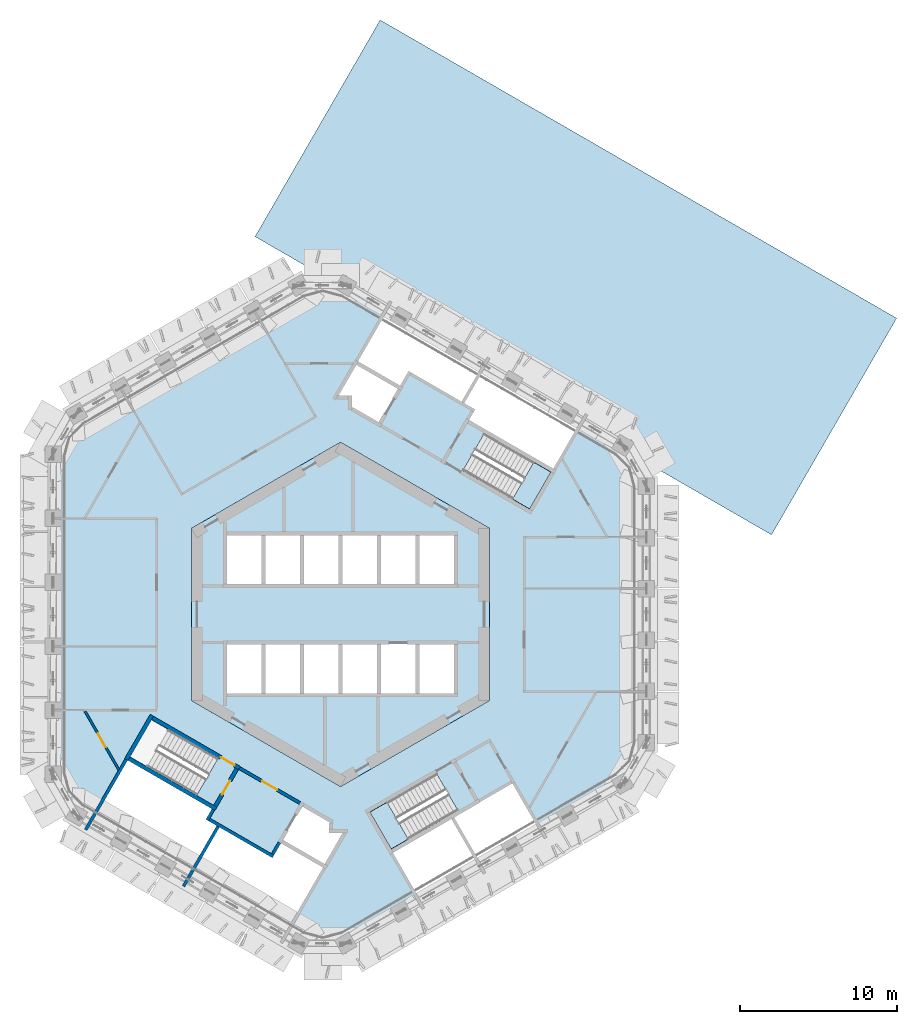
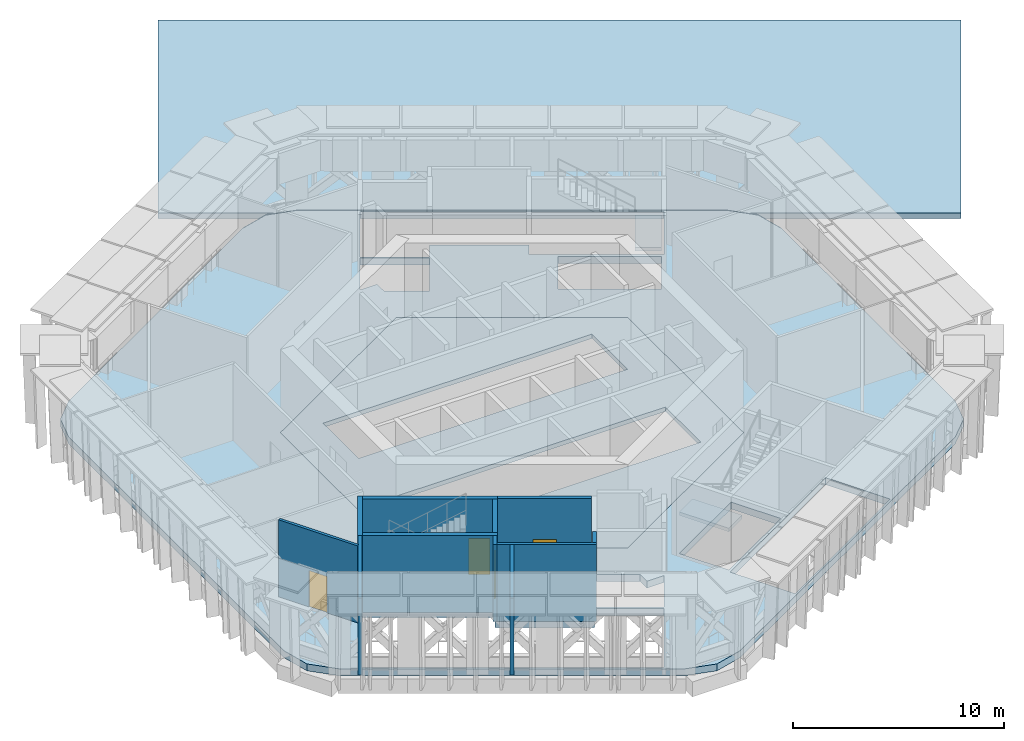
# One storey, part 6 of 18: 11 walls, 5 slabs, 4 doors, 4 openings, 2 elements without a shape of their own.
"""IFC4 building model written with IfcOpenShell, lengths in metres."""

from ifc_helpers import new_model, si_unit, direction, frame, frame_2d, origin, place, context, subcontext, project, spatial, polyline, rectangle, outline, extrude, material, layer, layer_set, type_object, element, fill, aggregate, save


model = new_model("IFC4")

# Units and contexts
model_context = context("Model", 3, precision=1e-05, world=origin(), true_north=direction((0.0, 1.0)))
body_context = subcontext(model_context, "Body", "Model", "MODEL_VIEW")
ifc_project = project(units=[si_unit("LENGTHUNIT", "METRE"), si_unit("AREAUNIT", "SQUARE_METRE"), si_unit("VOLUMEUNIT", "CUBIC_METRE"), si_unit("PLANEANGLEUNIT", "RADIAN"), si_unit("MASSUNIT", "GRAM", prefix="KILO")], contexts=[model_context])

# Site, building, storey
site_placement = place(None, origin())
site = spatial("IfcSite", under=ifc_project, at=site_placement, CompositionType="ELEMENT")
building_placement = place(site_placement, origin())
building = spatial("IfcBuilding", under=site, at=building_placement, Name="Ayvan Gate Tower", CompositionType="ELEMENT")
storey_placement = place(building_placement, frame((0.0, 0.0, 147.89990234375)))
storey = spatial("IfcBuildingStorey", under=building, at=storey_placement, Name="L39", CompositionType="ELEMENT", Elevation=147.89990234375)

# Slabs
ifc_material_1 = material(Name="Concrete C40/50", Category="concrete")
ifc_layer_1 = layer(ifc_material_1, 0.39990234375)
ifc_layer_set_1 = layer_set([ifc_layer_1], Name="Concrete C40/50")
slab_type_1 = type_object("IfcSlabType", Name="Post-tensioned flat slab 400", PredefinedType="FLOOR", material=ifc_layer_set_1)
slab_1_placement = place(storey_placement, frame((0.0, 0.0, -0.39990234375)))
element("IfcSlab", 1, at=slab_1_placement, inside=storey, type_object=slab_type_1, Name="SL-L39", PredefinedType="FLOOR", context=body_context, shape_type="SweptSolid", body=[
    extrude(outline(polyline([(-16.8544921875, -12.76904296875), (-17.95263671875, -11.6708984375), (-18.3544921875, -10.1708984375), (-18.3544921875, 10.1708984375), (-17.95263671875, 11.6708984375), (-16.8544921875, 12.76904296875), (-2.631103515625, 20.98095703125), (-1.131103515625, 21.3828125), (0.368896484375, 20.98095703125), (17.985595703125, 10.81005859375), (19.083740234375, 9.7119140625), (19.485595703125, 8.2119140625), (19.485595703125, -8.2119140625), (19.083740234375, -9.7119140625), (17.985595703125, -10.81005859375), (0.368896484375, -20.98095703125), (-1.131103515625, -21.3828125), (-2.631103515625, -20.98095703125), (-16.8544921875, -12.76904296875)]), holes=[polyline([(8.44287109375, 13.0234375), (8.042724609375, 12.33056640625), (13.58544921875, 9.130615234375), (14.100830078125, 10.023193359375), (15.362548828125, 12.208740234375), (2.891845703125, 19.408935546875), (1.0146484375, 16.157470703125), (3.87255859375, 14.50732421875), (4.37255859375, 15.373291015625), (7.75, 13.42333984375), (8.44287109375, 13.0234375)]), polyline([(7.80615234375, 9.170654296875), (12.049560546875, 6.720458984375), (13.404541015625, 9.0673828125), (9.1611328125, 11.517578125), (7.80615234375, 9.170654296875)]), polyline([(4.97021484375, -18.208740234375), (12.7646484375, -13.708740234375), (10.9873046875, -10.630615234375), (8.735595703125, -11.9306640625), (7.1162109375, -12.865478515625), (3.193115234375, -15.130615234375), (3.68505859375, -15.98291015625), (4.97021484375, -18.208740234375)]), polyline([(-9.5, -5.48486328125), (0.0, -10.9697265625), (9.5, -5.48486328125), (9.5, 5.48486328125), (0.0, 10.9697265625), (-9.5, 5.48486328125), (-9.5, -5.48486328125)]), polyline([(6.117431640625, -10.1455078125), (1.873779296875, -12.595458984375), (3.228759765625, -14.9423828125), (7.472412109375, -12.492431640625), (6.117431640625, -10.1455078125)]), polyline([(0.964599609375, 16.07080078125), (-0.340576171875, 13.81005859375), (0.60009765625, 13.81005859375), (0.60009765625, 13.16357421875), (2.472412109375, 12.08251953125), (3.822509765625, 14.420654296875), (0.964599609375, 16.07080078125)]), polyline([(-0.60009765625, -13.16357421875), (-2.472412109375, -12.08251953125), (-3.822509765625, -14.420654296875), (-0.964599609375, -16.07080078125), (-0.913818359375, -15.98291015625), (0.340576171875, -13.81005859375), (-0.60009765625, -13.81005859375), (-0.60009765625, -13.16357421875)]), polyline([(-15.92822265625, -13.1884765625), (-3.45751953125, -20.388427734375), (-1.0146484375, -16.157470703125), (-3.87255859375, -14.50732421875), (-4.37255859375, -15.373291015625), (-7.75, -13.42333984375), (-8.44287109375, -13.0234375), (-8.042724609375, -12.33056640625), (-13.58544921875, -9.130615234375), (-13.9638671875, -9.785888671875), (-14.100830078125, -10.023193359375), (-15.92822265625, -13.1884765625)]), polyline([(-13.404541015625, -9.0673828125), (-9.1611328125, -11.517578125), (-7.80615234375, -9.170654296875), (-12.049560546875, -6.720458984375), (-13.404541015625, -9.0673828125)])]), origin(), (0.0, 0.0, 1.0), 0.39990234375),
])
ifc_layer_2 = layer(ifc_material_1, 0.300048828125)
ifc_layer_set_2 = layer_set([ifc_layer_2], Name="Concrete C40/50")
slab_type_2 = type_object("IfcSlabType", Name="Roof slab 300", PredefinedType="ROOF", material=ifc_layer_set_2)
slab_2_placement = place(storey_placement, frame((0.0, 0.0, -0.2998046875)))
element("IfcSlab", 2, at=slab_2_placement, inside=storey, type_object=slab_type_2, Name="RF-B3", PredefinedType="ROOF", context=body_context, shape_type="SweptSolid", body=[
    extrude(outline(polyline([(19.485595703125, 8.29248046875), (19.485595703125, 8.2890625), (19.10302734375, 9.717041015625), (19.102294921875, 9.718994140625), (19.1015625, 9.720947265625), (19.100341796875, 9.72265625), (19.09912109375, 9.724365234375), (19.097900390625, 9.72607421875), (17.999755859375, 10.82421875), (17.99853515625, 10.8251953125), (17.9970703125, 10.826416015625), (17.99560546875, 10.827392578125), (0.37890625, 20.998291015625), (0.37744140625, 20.9990234375), (0.375732421875, 20.999755859375), (0.3740234375, 21.000244140625), (-1.1259765625, 21.402099609375), (-1.1279296875, 21.402587890625), (-1.130126953125, 21.40283203125), (-1.132080078125, 21.40283203125), (-1.13427734375, 21.402587890625), (-1.13623046875, 21.402099609375), (-2.564208984375, 21.01953125), (-2.561279296875, 21.021240234375), (-1.061279296875, 21.423095703125), (-0.680908203125, 21.3212890625), (-5.44384765625, 24.071044921875), (2.526123046875, 37.875244140625), (35.43505859375, 18.875244140625), (27.465087890625, 5.071044921875), (18.80517578125, 10.071044921875), (19.083740234375, 9.79248046875), (19.485595703125, 8.29248046875)])), origin(), (0.0, 0.0, 1.0), 0.2998046875),
])
ifc_layer_3 = layer(ifc_material_1, 0.25)
ifc_layer_set_3 = layer_set([ifc_layer_3], Name="Concrete C40/50")
slab_type_3 = type_object("IfcSlabType", Name="SL-CORE-250", PredefinedType="FLOOR", material=ifc_layer_set_3)
slab_3_placement = place(storey_placement, frame((0.0, 0.0, -0.25)))
element("IfcSlab", 3, at=slab_3_placement, inside=storey, type_object=slab_type_3, Name="CS-L39", PredefinedType="FLOOR", context=body_context, shape_type="SweptSolid", body=[
    extrude(outline(polyline([(9.5, -5.48486328125), (0.0, -10.9697265625), (-9.5, -5.48486328125), (-9.5, 5.48486328125), (0.0, 10.9697265625), (9.5, 5.48486328125), (9.5, -5.48486328125)]), holes=[polyline([(-7.35009765625, -1.800048828125), (-7.35009765625, -5.14990234375), (7.35009765625, -5.14990234375), (7.35009765625, -1.800048828125), (-7.35009765625, -1.800048828125)]), polyline([(-7.35009765625, 5.14990234375), (-7.35009765625, 1.800048828125), (7.35009765625, 1.800048828125), (7.35009765625, 5.14990234375), (-7.35009765625, 5.14990234375)])]), origin(), (0.0, 0.0, 1.0), 0.25),
])

# Stair, slab
stair_type = type_object("IfcStairType", Name="ST-EXIT", PredefinedType="HALF_TURN_STAIR", material=ifc_material_1)
stair_1_placement = place(storey_placement, origin())
stair_1 = element("IfcStair", 4, at=stair_1_placement, inside=storey, type_object=stair_type, Name="L39 Exit Stair S1", PredefinedType="HALF_TURN_STAIR")
ifc_layer_4 = layer(ifc_material_1, 0.199951171875)
ifc_layer_set_4 = layer_set([ifc_layer_4], Name="Concrete C40/50")
slab_type_4 = type_object("IfcSlabType", Name="SL-LANDING-200", PredefinedType="LANDING", material=ifc_layer_set_4)
slab_4_placement = place(storey_placement, frame((0.0, 0.0, 2.2001953125)))
slab_4 = element("IfcSlab", 5, at=slab_4_placement, type_object=slab_type_4, Name="STS1 landing 1", PredefinedType="LANDING", context=body_context, shape_type="SweptSolid", body=[
    extrude(outline(polyline([(10.95849609375, 7.3505859375), (12.049560546875, 6.720458984375), (13.404541015625, 9.0673828125), (12.3134765625, 9.697509765625), (10.95849609375, 7.3505859375)])), origin(), (0.0, 0.0, 1.0), 0.199951171875),
])
aggregate(stair_1, [slab_4])

stair_2_placement = place(storey_placement, origin())
stair_2 = element("IfcStair", 6, at=stair_2_placement, inside=storey, type_object=stair_type, Name="L39 Exit Stair S3", PredefinedType="HALF_TURN_STAIR")
slab_5_placement = place(storey_placement, frame((0.0, 0.0, 2.2001953125)))
slab_5 = element("IfcSlab", 7, at=slab_5_placement, type_object=slab_type_4, Name="STS3 landing 1", PredefinedType="LANDING", context=body_context, shape_type="SweptSolid", body=[
    extrude(outline(polyline([(2.965087890625, -11.965576171875), (1.873779296875, -12.595458984375), (3.228759765625, -14.9423828125), (4.320068359375, -14.3125), (2.965087890625, -11.965576171875)])), origin(), (0.0, 0.0, 1.0), 0.199951171875),
])
aggregate(stair_2, [slab_5])

# Wall, opening, door
ifc_material_2 = material(Name="Plasterboard on steel stud", Category="steel")
ifc_layer_5 = layer(ifc_material_2, 0.14990234375)
ifc_layer_set_5 = layer_set([ifc_layer_5], Name="Plasterboard on steel stud")
wall_type_1 = type_object("IfcWallType", Name="WT-CORR-150", PredefinedType="PARTITIONING", material=ifc_layer_set_5)
wall_1_placement = place(storey_placement, frame((-14.12744140625, -9.896240234375, 0.0), z_axis=(0.0, 0.0, 1.0), x_axis=(-0.500005500391, 0.866022228109, 0.0)))
wall_1 = element("IfcWall", 8, at=wall_1_placement, inside=storey, type_object=wall_type_1, Name="IW-L39-005", PredefinedType="PARTITIONING", context=body_context, shape_type="SweptSolid", body=[
    extrude(rectangle(XDim=4.3056640625, YDim=0.14990234375, at=frame_2d((2.15283203125, 0.0))), origin(), (0.0, 0.0, 1.0), 4.4501953125),
])
opening_1_placement = place(wall_1_placement, frame((1.65283203125, 0.0, 0.0)))
opening_1 = element("IfcOpeningElement", 9, at=opening_1_placement, cuts=wall_1, Name="Opening L39-D20", PredefinedType="OPENING", context=body_context, shape_type="SweptSolid", body=[
    extrude(rectangle(XDim=1.0, YDim=2.10009765625, at=frame_2d((0.5, 1.050048828125))), frame((0.0, 0.0849609375, 0.0), z_axis=(0.0, -1.0, 0.0), x_axis=(1.0, 0.0, 0.0)), (0.0, 0.0, 1.0), 0.169921875),
])
ifc_material_3 = material(Name="Timber door leaf", Category="wood")
door_type_1 = type_object("IfcDoorType", Name="DT-1000", OperationType="NOTDEFINED", PredefinedType="DOOR", material=ifc_material_3)
door_1_placement = place(opening_1_placement, origin())
door_1 = element("IfcDoor", 10, at=door_1_placement, inside=storey, type_object=door_type_1, Name="ID-L39-020", OperationType="SINGLE_SWING_LEFT", OverallHeight=2.10009765625, OverallWidth=1.0, PredefinedType="DOOR", context=body_context, shape_type="SweptSolid", body=[
    extrude(rectangle(XDim=1.0, YDim=2.10009765625, at=frame_2d((0.5, 1.050048828125))), frame((0.0, 0.02490234375, 0.0), z_axis=(0.0, -1.0, 0.0), x_axis=(1.0, 0.0, 0.0)), (0.0, 0.0, 1.0), 0.050048828125),
])
fill(opening_1, door_1)

# Walls
ifc_layer_6 = layer(ifc_material_2, 0.199951171875)
ifc_layer_set_6 = layer_set([ifc_layer_6], Name="Plasterboard on steel stud")
wall_type_2 = type_object("IfcWallType", Name="WT-PLUMB-200", PredefinedType="PLUMBINGWALL", material=ifc_layer_set_6)
wall_2_placement = place(storey_placement, frame((-16.23876953125, -13.726318359375, 0.0), z_axis=(0.0, 0.0, 1.0), x_axis=(0.499990271856, 0.866031020258, 0.0)))
element("IfcWall", 11, at=wall_2_placement, inside=storey, type_object=wall_type_2, Name="IW-L39-004", PredefinedType="PLUMBINGWALL", context=body_context, shape_type="SweptSolid", body=[
    extrude(rectangle(XDim=5.181640625, YDim=0.199951171875, at=frame_2d((2.5908203125, 0.0))), origin(), (0.0, 0.0, 1.0), 4.4501953125),
])
wall_3_placement = place(storey_placement, frame((-8.492919921875, -13.110107421875, 0.0), z_axis=(0.0, 0.0, 1.0), x_axis=(0.500067724834, 0.865986299303, 0.0)))
element("IfcWall", 12, at=wall_3_placement, inside=storey, type_object=wall_type_2, Name="IW-L39-017", PredefinedType="PLUMBINGWALL", context=body_context, shape_type="SweptSolid", body=[
    extrude(rectangle(XDim=0.775390625, YDim=0.199951171875, at=frame_2d((0.3876953125, 0.0))), origin(), (0.0, 0.0, 1.0), 4.4501953125),
])
wall_4_placement = place(storey_placement, frame((-7.800048828125, -13.510009765625, 0.0), z_axis=(0.0, 0.0, 1.0), x_axis=(-0.5000181976, -0.86601489714, 0.0)))
element("IfcWall", 13, at=wall_4_placement, inside=storey, type_object=wall_type_2, Name="IW-L39-019", PredefinedType="PLUMBINGWALL", context=body_context, shape_type="SweptSolid", body=[
    extrude(rectangle(XDim=4.406494140625, YDim=0.199951171875, at=frame_2d((2.203125, 0.0))), origin(), (0.0, 0.0, 1.0), 4.4501953125),
])
wall_5_placement = place(storey_placement, frame((-8.356201171875, -13.073486328125, 0.0), z_axis=(0.0, 0.0, 1.0), x_axis=(0.866038532462, -0.499977259774, 0.0)))
element("IfcWall", 14, at=wall_5_placement, inside=storey, type_object=wall_type_2, Name="IW-L39-020", PredefinedType="PLUMBINGWALL", context=body_context, shape_type="SweptSolid", body=[
    extrude(rectangle(XDim=4.699951171875, YDim=0.199951171875, at=frame_2d((2.35009765625, 0.0))), origin(), (0.0, 0.0, 1.0), 4.4501953125),
])
wall_6_placement = place(storey_placement, frame((-3.885009765625, -14.52880859375, 0.0), z_axis=(0.0, 0.0, 1.0), x_axis=(-0.499859285417, -0.866106630146, 0.0)))
element("IfcWall", 15, at=wall_6_placement, inside=storey, type_object=wall_type_2, Name="IW-L39-033", PredefinedType="PLUMBINGWALL", context=body_context, shape_type="SweptSolid", body=[
    extrude(rectangle(XDim=0.875244140625, YDim=0.199951171875, at=frame_2d((0.4375, 0.0))), origin(), (0.0, 0.0, 1.0), 4.4501953125),
])

# Wall, opening, door
ifc_layer_7 = layer(ifc_material_2, 0.199951171875)
ifc_layer_set_7 = layer_set([ifc_layer_7], Name="Plasterboard on steel stud")
wall_type_3 = type_object("IfcWallType", Name="WT-RATED-200", PredefinedType="PARTITIONING", material=ifc_layer_set_7)
wall_7_placement = place(storey_placement, frame((-6.4345703125, -9.794921875, 0.0), z_axis=(0.0, 0.0, 1.0), x_axis=(0.866012907634, -0.500021643343, 0.0)))
wall_7 = element("IfcWall", 16, at=wall_7_placement, inside=storey, type_object=wall_type_3, Name="IW-L39-027", PredefinedType="PARTITIONING", context=body_context, shape_type="SweptSolid", body=[
    extrude(rectangle(XDim=4.449951171875, YDim=0.199951171875, at=frame_2d((2.22509765625, 0.0))), origin(), (0.0, 0.0, 1.0), 4.4501953125),
])
opening_2_placement = place(wall_7_placement, frame((1.675048828125, 0.0, 0.0)))
opening_2 = element("IfcOpeningElement", 17, at=opening_2_placement, cuts=wall_7, Name="Opening L39-D08", PredefinedType="OPENING", context=body_context, shape_type="SweptSolid", body=[
    extrude(rectangle(XDim=1.10009765625, YDim=2.10009765625, at=frame_2d((0.550048828125, 1.050048828125))), frame((0.0, 0.10986328125, 0.0), z_axis=(0.0, -1.0, 0.0), x_axis=(1.0, 0.0, 0.0)), (0.0, 0.0, 1.0), 0.219970703125),
])
door_type_2 = type_object("IfcDoorType", Name="DT-1100", OperationType="NOTDEFINED", PredefinedType="DOOR", material=ifc_material_3)
door_2_placement = place(opening_2_placement, origin())
door_2 = element("IfcDoor", 18, at=door_2_placement, inside=storey, type_object=door_type_2, Name="ID-L39-008", OperationType="SINGLE_SWING_LEFT", OverallHeight=2.10009765625, OverallWidth=1.10009765625, PredefinedType="DOOR", context=body_context, shape_type="SweptSolid", body=[
    extrude(rectangle(XDim=1.10009765625, YDim=2.10009765625, at=frame_2d((0.550048828125, 1.050048828125))), frame((0.0, 0.02490234375, 0.0), z_axis=(0.0, -1.0, 0.0), x_axis=(1.0, 0.0, 0.0)), (0.0, 0.0, 1.0), 0.050048828125),
])
fill(opening_2, door_2)

# Wall
ifc_material_4 = material(Name="Concrete C50/60", Category="concrete")
ifc_layer_8 = layer(ifc_material_4, 0.25)
ifc_layer_set_8 = layer_set([ifc_layer_8], Name="Concrete C50/60")
wall_type_4 = type_object("IfcWallType", Name="WT-RC-250", PredefinedType="SHEAR", material=ifc_layer_set_8)
wall_8_placement = place(storey_placement, frame((-13.64794921875, -9.23876953125, 0.0), z_axis=(0.0, 0.0, 1.0), x_axis=(0.500017246033, 0.866015446554, 0.0)))
element("IfcWall", 19, at=wall_8_placement, inside=storey, type_object=wall_type_4, Name="IW-L39-006", PredefinedType="SHEAR", context=body_context, shape_type="SweptSolid", body=[
    extrude(rectangle(XDim=3.25, YDim=0.25, at=frame_2d((1.625, 0.0))), origin(), (0.0, 0.0, 1.0), 4.4501953125),
])

# Wall, opening, door
wall_9_placement = place(storey_placement, frame((-11.97705078125, -6.594970703125, 0.0), z_axis=(0.0, 0.0, 1.0), x_axis=(0.866025499775, -0.499999833739, 0.0)))
wall_9 = element("IfcWall", 20, at=wall_9_placement, inside=storey, type_object=wall_type_4, Name="IW-L39-009", PredefinedType="SHEAR", context=body_context, shape_type="SweptSolid", body=[
    extrude(rectangle(XDim=6.39990234375, YDim=0.25, at=frame_2d((3.199951171875, 0.0))), origin(), (0.0, 0.0, 1.0), 4.4501953125),
])
opening_3_placement = place(wall_9_placement, frame((5.02490234375, 0.0, 0.0)))
opening_3 = element("IfcOpeningElement", 21, at=opening_3_placement, cuts=wall_9, Name="Opening L39-D06", PredefinedType="OPENING", context=body_context, shape_type="SweptSolid", body=[
    extrude(rectangle(XDim=1.0, YDim=2.10009765625, at=frame_2d((0.5, 1.050048828125))), frame((0.0, 0.135009765625, 0.0), z_axis=(0.0, -1.0, 0.0), x_axis=(1.0, 0.0, 0.0)), (0.0, 0.0, 1.0), 0.27001953125),
])
door_3_placement = place(opening_3_placement, origin())
door_3 = element("IfcDoor", 22, at=door_3_placement, inside=storey, type_object=door_type_1, Name="ID-L39-006", OperationType="SINGLE_SWING_LEFT", OverallHeight=2.10009765625, OverallWidth=1.0, PredefinedType="DOOR", context=body_context, shape_type="SweptSolid", body=[
    extrude(rectangle(XDim=1.0, YDim=2.10009765625, at=frame_2d((0.5, 1.050048828125))), frame((0.0, 0.02490234375, 0.0), z_axis=(0.0, -1.0, 0.0), x_axis=(1.0, 0.0, 0.0)), (0.0, 0.0, 1.0), 0.050048828125),
])
fill(opening_3, door_3)

# Wall
wall_10_placement = place(storey_placement, frame((-7.9345703125, -12.39306640625, 0.0), z_axis=(0.0, 0.0, 1.0), x_axis=(-0.866025499775, 0.499999833739, 0.0)))
element("IfcWall", 23, at=wall_10_placement, inside=storey, type_object=wall_type_4, Name="IW-L39-018", PredefinedType="SHEAR", context=body_context, shape_type="SweptSolid", body=[
    extrude(rectangle(XDim=6.39990234375, YDim=0.25, at=frame_2d((3.199951171875, 0.0))), origin(), (0.0, 0.0, 1.0), 4.4501953125),
])

# Wall, opening, door
wall_11_placement = place(storey_placement, frame((-6.605224609375, -9.8408203125, 0.0), z_axis=(0.0, 0.0, 1.0), x_axis=(-0.499996545922, -0.866027397988, 0.0)))
wall_11 = element("IfcWall", 24, at=wall_11_placement, inside=storey, type_object=wall_type_4, Name="IW-L39-026", PredefinedType="SHEAR", context=body_context, shape_type="SweptSolid", body=[
    extrude(rectangle(XDim=2.75, YDim=0.25, at=frame_2d((1.375, 0.0))), origin(), (0.0, 0.0, 1.0), 4.4501953125),
])
opening_4_placement = place(wall_11_placement, frame((0.875, 0.0, 0.0)))
opening_4 = element("IfcOpeningElement", 25, at=opening_4_placement, cuts=wall_11, Name="Opening L39-D07", PredefinedType="OPENING", context=body_context, shape_type="SweptSolid", body=[
    extrude(rectangle(XDim=1.0, YDim=2.10009765625, at=frame_2d((0.5, 1.050048828125))), frame((0.0, 0.135009765625, 0.0), z_axis=(0.0, -1.0, 0.0), x_axis=(1.0, 0.0, 0.0)), (0.0, 0.0, 1.0), 0.27001953125),
])
door_4_placement = place(opening_4_placement, origin())
door_4 = element("IfcDoor", 26, at=door_4_placement, inside=storey, type_object=door_type_1, Name="ID-L39-007", OperationType="SINGLE_SWING_RIGHT", OverallHeight=2.10009765625, OverallWidth=1.0, PredefinedType="DOOR", context=body_context, shape_type="SweptSolid", body=[
    extrude(rectangle(XDim=1.0, YDim=2.10009765625, at=frame_2d((0.5, 1.050048828125))), frame((0.0, 0.02490234375, 0.0), z_axis=(0.0, -1.0, 0.0), x_axis=(1.0, 0.0, 0.0)), (0.0, 0.0, 1.0), 0.050048828125),
])
fill(opening_4, door_4)

save(model, "model.ifc")
